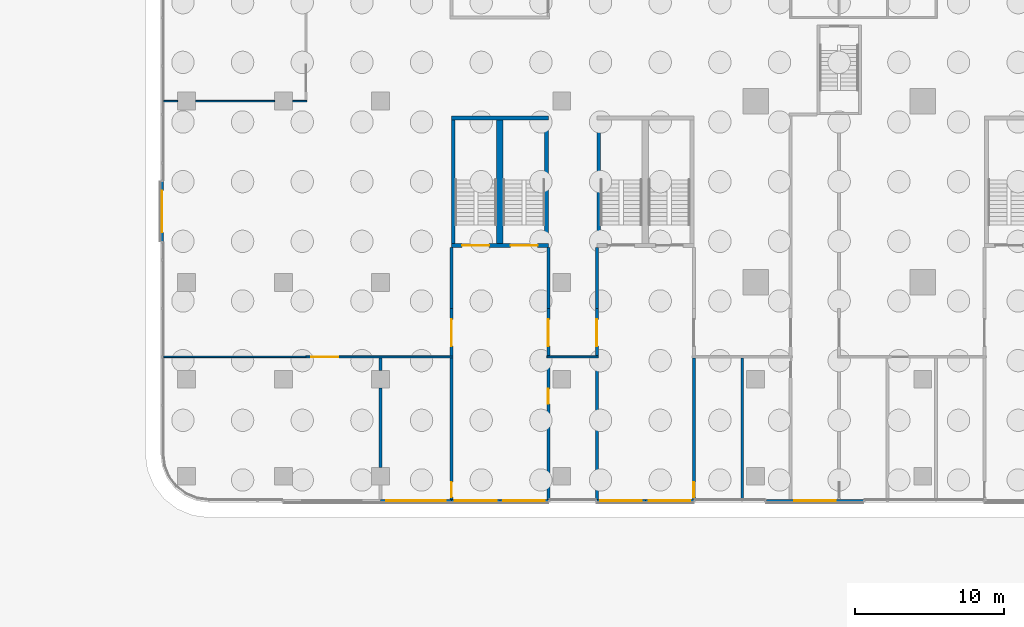
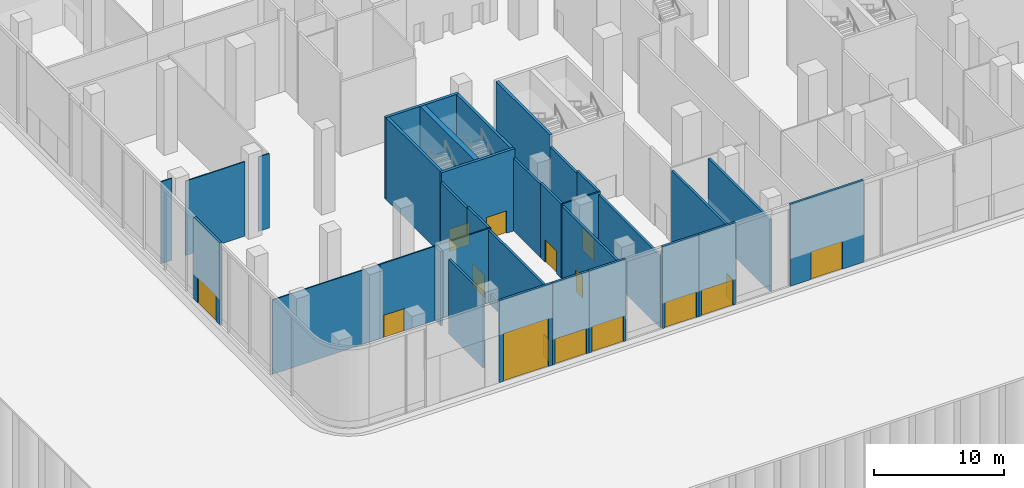
# One storey, part 16 of 27: 32 walls, 16 doors, 16 openings.
"""IFC4 building model written with IfcOpenShell, lengths in metres."""

from ifc_helpers import new_model, si_unit, direction, frame, frame_2d, origin, place, context, subcontext, project, spatial, rectangle, extrude, source, transform, mapped, material, layer, layer_set, type_object, element, fill, save


model = new_model("IFC4")

# Units and contexts
model_context = context("Model", 3, precision=1e-05, world=origin(), true_north=direction((0.0, 1.0)))
body_context = subcontext(model_context, "Body", "Model", "MODEL_VIEW")
ifc_project = project(units=[si_unit("LENGTHUNIT", "METRE"), si_unit("AREAUNIT", "SQUARE_METRE"), si_unit("VOLUMEUNIT", "CUBIC_METRE"), si_unit("PLANEANGLEUNIT", "RADIAN"), si_unit("MASSUNIT", "GRAM", prefix="KILO")], contexts=[model_context])

# Site, building, storey
site_placement = place(None, origin())
site = spatial("IfcSite", under=ifc_project, at=site_placement, CompositionType="ELEMENT")
building_placement = place(site_placement, origin())
building = spatial("IfcBuilding", under=site, at=building_placement, Name="Trellis Farm Tower", CompositionType="ELEMENT")
storey_placement = place(building_placement, origin())
storey = spatial("IfcBuildingStorey", under=building, at=storey_placement, Name="L00", CompositionType="ELEMENT", Elevation=0.0)

# Walls
ifc_material_1 = material(Name="Lightweight blockwork, plastered", Category="masonry")
ifc_layer_1 = layer(ifc_material_1, 0.199951171875)
ifc_layer_set_1 = layer_set([ifc_layer_1], Name="BLOCK WALL 200 EI 120")
wall_type_1 = type_object("IfcWallType", Name="BLOCK WALL 200 EI 120", PredefinedType="PARTITIONING", material=ifc_layer_set_1)
wall_1_placement = place(storey_placement, frame((-30.75, -43.14990234375, 0.0), z_axis=(0.0, 0.0, 1.0), x_axis=(0.0, 1.0, 0.0)))
element("IfcWall", 1, at=wall_1_placement, inside=storey, type_object=wall_type_1, Name="Partition PW3", PredefinedType="PARTITIONING", context=body_context, shape_type="SweptSolid", body=[
    extrude(rectangle(XDim=5.2998046875, YDim=0.199951171875, at=frame_2d((2.64990234375, 0.0))), origin(), (0.0, 0.0, 1.0), 6.99658203125),
])
wall_2_placement = place(storey_placement, frame((-30.75, -36.64990234375, 0.0), z_axis=(0.0, 0.0, 1.0), x_axis=(0.0, 1.0, 0.0)))
element("IfcWall", 2, at=wall_2_placement, inside=storey, type_object=wall_type_1, Name="Partition PW3", PredefinedType="PARTITIONING", context=body_context, shape_type="SweptSolid", body=[
    extrude(rectangle(XDim=0.83740234375, YDim=0.199951171875, at=frame_2d((0.418701171875, 0.0))), origin(), (0.0, 0.0, 1.0), 6.99658203125),
])

# Wall, opening, door
ifc_material_2 = material(Name="Sandstone faced insulated wall", Category="masonry")
ifc_layer_2 = layer(ifc_material_2, 0.199951171875)
ifc_layer_set_2 = layer_set([ifc_layer_2], Name="EXTERNAL INFILL WALL 200")
wall_type_2 = type_object("IfcWallType", Name="EXTERNAL INFILL WALL 200", PredefinedType="SOLIDWALL", material=ifc_layer_set_2)
wall_3_placement = place(storey_placement, frame((-26.0, -45.39990234375, 0.0), z_axis=(0.0, 0.0, 1.0), x_axis=(-1.0, 0.0, 0.0)))
wall_3 = element("IfcWall", 3, at=wall_3_placement, inside=storey, type_object=wall_type_2, Name="EW1 17", PredefinedType="SOLIDWALL", context=body_context, shape_type="SweptSolid", body=[
    extrude(rectangle(XDim=4.75, YDim=0.199951171875, at=frame_2d((2.375, 0.0))), origin(), (0.0, 0.0, 1.0), 7.699951171875),
])
shared_shape_1 = source(origin(), body_context, "Body", "SweptSolid", [
    extrude(rectangle(XDim=4.0, YDim=4.5, at=frame_2d((2.0, 2.25))), frame((0.0, 0.110107421875, 0.0), z_axis=(0.0, -1.0, 0.0), x_axis=(1.0, 0.0, 0.0)), (0.0, 0.0, 1.0), 0.22021484375),
])
opening_1_placement = place(wall_3_placement, frame((0.375, 0.0, 0.0)))
opening_1 = element("IfcOpeningElement", 4, at=opening_1_placement, cuts=wall_3, Name="Opening ED5", PredefinedType="OPENING", context=body_context, shape_type="MappedRepresentation", body=[
    mapped(shared_shape_1, transform((0.0, 0.0, 0.0))),
])
ifc_material_3 = material(Name="Steel roller shutter", Category="steel")
door_type_1 = type_object("IfcDoorType", Name="LOADING DOOR 4000x4500", OperationType="ROLLINGUP", PredefinedType="DOOR", material=ifc_material_3)
shared_shape_2 = source(origin(), body_context, "Body", "SweptSolid", [
    extrude(rectangle(XDim=4.0, YDim=4.5, at=frame_2d((2.0, 2.25))), frame((0.0, 0.02490234375, 0.0), z_axis=(0.0, -1.0, 0.0), x_axis=(1.0, 0.0, 0.0)), (0.0, 0.0, 1.0), 0.050048828125),
])
door_1_placement = place(opening_1_placement, origin())
door_1 = element("IfcDoor", 5, at=door_1_placement, inside=storey, type_object=door_type_1, Name="Loading door", OperationType="ROLLINGUP", OverallHeight=4.5, OverallWidth=4.0, PredefinedType="DOOR", context=body_context, shape_type="MappedRepresentation", body=[
    mapped(shared_shape_2, transform((0.0, 0.0, 0.0))),
])
fill(opening_1, door_1)

# Wall
ifc_material_4 = material(Name="Plasterboard on steel studs", Category="steel")
ifc_layer_3 = layer(ifc_material_4, 0.10009765625)
ifc_layer_set_3 = layer_set([ifc_layer_3], Name="PARTITION 100 STUD EI 30")
wall_type_3 = type_object("IfcWallType", Name="PARTITION 100 STUD EI 30", PredefinedType="PARTITIONING", material=ifc_layer_set_3)
wall_4_placement = place(storey_placement, frame((-45.300048828125, -35.75, 0.0), z_axis=(0.0, 0.0, 1.0), x_axis=(1.0, 0.0, 0.0)))
element("IfcWall", 6, at=wall_4_placement, inside=storey, type_object=wall_type_3, Name="Partition PW2", PredefinedType="PARTITIONING", context=body_context, shape_type="SweptSolid", body=[
    extrude(rectangle(XDim=9.550048828125, YDim=0.10009765625, at=frame_2d((4.77490234375, 0.0))), origin(), (0.0, 0.0, 1.0), 6.99658203125),
])

# Wall, openings, doors
ifc_material_5 = material(Name="Concrete C80/95", Category="concrete")
ifc_layer_4 = layer(ifc_material_5, 0.25)
ifc_layer_set_4 = layer_set([ifc_layer_4], Name="CORE STAIR ENCLOSURE WALL 250 CONCRETE C80/95")
wall_type_4 = type_object("IfcWallType", Name="CORE STAIR ENCLOSURE WALL 250 CONCRETE C80/95", PredefinedType="SHEAR", material=ifc_layer_set_4)
shared_shape_3 = source(origin(), body_context, "Body", "SweptSolid", [
    extrude(rectangle(XDim=6.5, YDim=0.25, at=frame_2d((3.25, 0.0))), origin(), (0.0, 0.0, 1.0), 7.699951171875),
])
wall_5_placement = place(storey_placement, frame((-26.0, -28.27490234375, 0.0), z_axis=(0.0, 0.0, 1.0), x_axis=(1.0, 0.0, 0.0)))
wall_5 = element("IfcWall", 7, at=wall_5_placement, inside=storey, type_object=wall_type_4, Name="Podium stair enclosure wall", PredefinedType="SHEAR", context=body_context, shape_type="MappedRepresentation", body=[
    mapped(shared_shape_3, transform((0.0, 0.0, 0.0))),
])
shared_shape_4 = source(origin(), body_context, "Body", "SweptSolid", [
    extrude(rectangle(XDim=1.800048828125, YDim=2.10009765625, at=frame_2d((0.89990234375, 1.050048828125))), frame((0.0, 0.135009765625, 0.0), z_axis=(0.0, -1.0, 0.0), x_axis=(1.0, 0.0, 0.0)), (0.0, 0.0, 1.0), 0.27001953125),
])
opening_2_placement = place(wall_5_placement, frame((0.72509765625, 0.0, 0.0)))
opening_2 = element("IfcOpeningElement", 8, at=opening_2_placement, cuts=wall_5, Name="Opening DP9", PredefinedType="OPENING", context=body_context, shape_type="MappedRepresentation", body=[
    mapped(shared_shape_4, transform((0.0, 0.0, 0.0))),
])
opening_3_placement = place(wall_5_placement, frame((3.97509765625, 0.0, 0.0)))
opening_3 = element("IfcOpeningElement", 9, at=opening_3_placement, cuts=wall_5, Name="Opening DP10", PredefinedType="OPENING", context=body_context, shape_type="MappedRepresentation", body=[
    mapped(shared_shape_4, transform((0.0, 0.0, 0.0))),
])
ifc_material_6 = material(Name="Steel", Category="steel")
door_type_2 = type_object("IfcDoorType", Name="CORE FIRE DOOR DOUBLE 1800 X 2100", OperationType="DOUBLE_DOOR_SINGLE_SWING", PredefinedType="DOOR", material=ifc_material_6)
shared_shape_5 = source(origin(), body_context, "Body", "SweptSolid", [
    extrude(rectangle(XDim=1.800048828125, YDim=2.10009765625, at=frame_2d((0.89990234375, 1.050048828125))), frame((0.0, 0.02490234375, 0.0), z_axis=(0.0, -1.0, 0.0), x_axis=(1.0, 0.0, 0.0)), (0.0, 0.0, 1.0), 0.050048828125),
])
door_2_placement = place(opening_2_placement, origin())
door_2 = element("IfcDoor", 10, at=door_2_placement, inside=storey, type_object=door_type_2, Name="Podium stair door", OperationType="DOUBLE_DOOR_SINGLE_SWING", OverallHeight=2.10009765625, OverallWidth=1.800048828125, PredefinedType="DOOR", context=body_context, shape_type="MappedRepresentation", body=[
    mapped(shared_shape_5, transform((0.0, 0.0, 0.0))),
])
fill(opening_2, door_2)
door_3_placement = place(opening_3_placement, origin())
door_3 = element("IfcDoor", 11, at=door_3_placement, inside=storey, type_object=door_type_2, Name="Podium stair door", OperationType="DOUBLE_DOOR_SINGLE_SWING", OverallHeight=2.10009765625, OverallWidth=1.800048828125, PredefinedType="DOOR", context=body_context, shape_type="MappedRepresentation", body=[
    mapped(shared_shape_5, transform((0.0, 0.0, 0.0))),
])
fill(opening_3, door_3)

# Walls
wall_6_placement = place(storey_placement, frame((-26.0, -19.72509765625, 0.0), z_axis=(0.0, 0.0, 1.0), x_axis=(1.0, 0.0, 0.0)))
element("IfcWall", 12, at=wall_6_placement, inside=storey, type_object=wall_type_4, Name="Podium stair enclosure wall", PredefinedType="SHEAR", context=body_context, shape_type="MappedRepresentation", body=[
    mapped(shared_shape_3, transform((0.0, 0.0, 0.0))),
])
shared_shape_6 = source(origin(), body_context, "Body", "SweptSolid", [
    extrude(rectangle(XDim=8.2998046875, YDim=0.25, at=frame_2d((4.14990234375, 0.0))), origin(), (0.0, 0.0, 1.0), 7.699951171875),
])
for number, where, z_axis, x_axis, name in (
    (13, (-25.875, -28.14990234375, 0.0), (0.0, 0.0, 1.0), (0.0, 1.0, 0.0), "Podium stair enclosure wall"),
    (14, (-19.625, -28.14990234375, 0.0), (0.0, 0.0, 1.0), (0.0, 1.0, 0.0), "Podium stair enclosure wall"),
    (15, (-16.125, -28.14990234375, 0.0), (0.0, 0.0, 1.0), (0.0, 1.0, 0.0), "Podium stair enclosure wall"),
):
    element("IfcWall", number, at=place(storey_placement, frame(where, z_axis=z_axis, x_axis=x_axis)), inside=storey, type_object=wall_type_4, Name=name, PredefinedType="SHEAR", context=body_context, shape_type="MappedRepresentation", body=[
        mapped(shared_shape_6, transform((0.0, 0.0, 0.0))),
    ])
ifc_layer_5 = layer(ifc_material_5, 0.43994140625)
ifc_layer_set_5 = layer_set([ifc_layer_5], Name="CORE STAIR ENCLOSURE WALL 440 CONCRETE C80/95")
wall_type_5 = type_object("IfcWallType", Name="CORE STAIR ENCLOSURE WALL 440 CONCRETE C80/95", PredefinedType="SHEAR", material=ifc_layer_set_5)
shared_shape_7 = source(origin(), body_context, "Body", "SweptSolid", [
    extrude(rectangle(XDim=8.2998046875, YDim=0.43994140625, at=frame_2d((4.14990234375, 0.0))), origin(), (0.0, 0.0, 1.0), 7.699951171875),
])
wall_7_placement = place(storey_placement, frame((-22.75, -28.14990234375, 0.0), z_axis=(0.0, 0.0, 1.0), x_axis=(0.0, 1.0, 0.0)))
element("IfcWall", 16, at=wall_7_placement, inside=storey, type_object=wall_type_5, Name="Podium stair enclosure wall", PredefinedType="SHEAR", context=body_context, shape_type="MappedRepresentation", body=[
    mapped(shared_shape_7, transform((0.0, 0.0, 0.0))),
])

# Wall, opening, door
shared_shape_8 = source(origin(), body_context, "Body", "SweptSolid", [
    extrude(rectangle(XDim=4.0, YDim=0.199951171875, at=frame_2d((2.0, 0.0))), origin(), (0.0, 0.0, 1.0), 7.699951171875),
])
wall_8_placement = place(storey_placement, frame((-45.39990234375, -28.0, 0.0), z_axis=(0.0, 0.0, 1.0), x_axis=(0.0, 1.0, 0.0)))
wall_8 = element("IfcWall", 17, at=wall_8_placement, inside=storey, type_object=wall_type_2, Name="EW1 15", PredefinedType="SOLIDWALL", context=body_context, shape_type="MappedRepresentation", body=[
    mapped(shared_shape_8, transform((0.0, 0.0, 0.0))),
])
shared_shape_9 = source(origin(), body_context, "Body", "SweptSolid", [
    extrude(rectangle(XDim=2.800048828125, YDim=2.39990234375, at=frame_2d((1.39990234375, 1.199951171875))), frame((0.0, 0.110107421875, 0.0), z_axis=(0.0, -1.0, 0.0), x_axis=(1.0, 0.0, 0.0)), (0.0, 0.0, 1.0), 0.22021484375),
])
opening_4_placement = place(wall_8_placement, frame((0.60009765625, 0.0, 0.0)))
opening_4 = element("IfcOpeningElement", 18, at=opening_4_placement, cuts=wall_8, Name="Opening ED4", PredefinedType="OPENING", context=body_context, shape_type="MappedRepresentation", body=[
    mapped(shared_shape_9, transform((0.0, 0.0, 0.0))),
])
ifc_material_7 = material(Name="Steel framed door", Category="steel")
door_type_3 = type_object("IfcDoorType", Name="EXIT DOOR 2800x2400", OperationType="DOUBLE_DOOR_SINGLE_SWING", PredefinedType="DOOR", material=ifc_material_7)
shared_shape_10 = source(origin(), body_context, "Body", "SweptSolid", [
    extrude(rectangle(XDim=2.800048828125, YDim=2.39990234375, at=frame_2d((1.39990234375, 1.199951171875))), frame((0.0, 0.02490234375, 0.0), z_axis=(0.0, -1.0, 0.0), x_axis=(1.0, 0.0, 0.0)), (0.0, 0.0, 1.0), 0.050048828125),
])
door_4_placement = place(opening_4_placement, origin())
door_4 = element("IfcDoor", 19, at=door_4_placement, inside=storey, type_object=door_type_3, Name="Exit door", OperationType="DOUBLE_DOOR_SINGLE_SWING", OverallHeight=2.39990234375, OverallWidth=2.800048828125, PredefinedType="DOOR", context=body_context, shape_type="MappedRepresentation", body=[
    mapped(shared_shape_10, transform((0.0, 0.0, 0.0))),
])
fill(opening_4, door_4)

shared_shape_11 = source(origin(), body_context, "Body", "SweptSolid", [
    extrude(rectangle(XDim=3.25, YDim=0.199951171875, at=frame_2d((1.625, 0.0))), origin(), (0.0, 0.0, 1.0), 7.699951171875),
])
wall_9_placement = place(storey_placement, frame((-22.75, -45.39990234375, 0.0), z_axis=(0.0, 0.0, 1.0), x_axis=(-1.0, 0.0, 0.0)))
wall_9 = element("IfcWall", 20, at=wall_9_placement, inside=storey, type_object=wall_type_2, Name="EW1 18", PredefinedType="SOLIDWALL", context=body_context, shape_type="MappedRepresentation", body=[
    mapped(shared_shape_11, transform((0.0, 0.0, 0.0))),
])
opening_5_placement = place(wall_9_placement, frame((0.22509765625, 0.0, 0.0)))
opening_5 = element("IfcOpeningElement", 21, at=opening_5_placement, cuts=wall_9, Name="Opening ED4", PredefinedType="OPENING", context=body_context, shape_type="MappedRepresentation", body=[
    mapped(shared_shape_9, transform((0.0, 0.0, 0.0))),
])
door_5_placement = place(opening_5_placement, origin())
door_5 = element("IfcDoor", 22, at=door_5_placement, inside=storey, type_object=door_type_3, Name="Exit door", OperationType="DOUBLE_DOOR_SINGLE_SWING", OverallHeight=2.39990234375, OverallWidth=2.800048828125, PredefinedType="DOOR", context=body_context, shape_type="MappedRepresentation", body=[
    mapped(shared_shape_10, transform((0.0, 0.0, 0.0))),
])
fill(opening_5, door_5)

wall_10_placement = place(storey_placement, frame((-19.5, -45.39990234375, 0.0), z_axis=(0.0, 0.0, 1.0), x_axis=(-1.0, 0.0, 0.0)))
wall_10 = element("IfcWall", 23, at=wall_10_placement, inside=storey, type_object=wall_type_2, Name="EW1 19", PredefinedType="SOLIDWALL", context=body_context, shape_type="MappedRepresentation", body=[
    mapped(shared_shape_11, transform((0.0, 0.0, 0.0))),
])
opening_6_placement = place(wall_10_placement, frame((0.22509765625, 0.0, 0.0)))
opening_6 = element("IfcOpeningElement", 24, at=opening_6_placement, cuts=wall_10, Name="Opening ED4", PredefinedType="OPENING", context=body_context, shape_type="MappedRepresentation", body=[
    mapped(shared_shape_9, transform((0.0, 0.0, 0.0))),
])
door_6_placement = place(opening_6_placement, origin())
door_6 = element("IfcDoor", 25, at=door_6_placement, inside=storey, type_object=door_type_3, Name="Exit door", OperationType="DOUBLE_DOOR_SINGLE_SWING", OverallHeight=2.39990234375, OverallWidth=2.800048828125, PredefinedType="DOOR", context=body_context, shape_type="MappedRepresentation", body=[
    mapped(shared_shape_10, transform((0.0, 0.0, 0.0))),
])
fill(opening_6, door_6)

wall_11_placement = place(storey_placement, frame((-13.0, -45.39990234375, 0.0), z_axis=(0.0, 0.0, 1.0), x_axis=(-1.0, 0.0, 0.0)))
wall_11 = element("IfcWall", 26, at=wall_11_placement, inside=storey, type_object=wall_type_2, Name="EW1 20", PredefinedType="SOLIDWALL", context=body_context, shape_type="MappedRepresentation", body=[
    mapped(shared_shape_11, transform((0.0, 0.0, 0.0))),
])
opening_7_placement = place(wall_11_placement, frame((0.22509765625, 0.0, 0.0)))
opening_7 = element("IfcOpeningElement", 27, at=opening_7_placement, cuts=wall_11, Name="Opening ED4", PredefinedType="OPENING", context=body_context, shape_type="MappedRepresentation", body=[
    mapped(shared_shape_9, transform((0.0, 0.0, 0.0))),
])
door_7_placement = place(opening_7_placement, origin())
door_7 = element("IfcDoor", 28, at=door_7_placement, inside=storey, type_object=door_type_3, Name="Exit door", OperationType="DOUBLE_DOOR_SINGLE_SWING", OverallHeight=2.39990234375, OverallWidth=2.800048828125, PredefinedType="DOOR", context=body_context, shape_type="MappedRepresentation", body=[
    mapped(shared_shape_10, transform((0.0, 0.0, 0.0))),
])
fill(opening_7, door_7)

wall_12_placement = place(storey_placement, frame((-9.75, -45.39990234375, 0.0), z_axis=(0.0, 0.0, 1.0), x_axis=(-1.0, 0.0, 0.0)))
wall_12 = element("IfcWall", 29, at=wall_12_placement, inside=storey, type_object=wall_type_2, Name="EW1 21", PredefinedType="SOLIDWALL", context=body_context, shape_type="MappedRepresentation", body=[
    mapped(shared_shape_11, transform((0.0, 0.0, 0.0))),
])
opening_8_placement = place(wall_12_placement, frame((0.22509765625, 0.0, 0.0)))
opening_8 = element("IfcOpeningElement", 30, at=opening_8_placement, cuts=wall_12, Name="Opening ED4", PredefinedType="OPENING", context=body_context, shape_type="MappedRepresentation", body=[
    mapped(shared_shape_9, transform((0.0, 0.0, 0.0))),
])
door_8_placement = place(opening_8_placement, origin())
door_8 = element("IfcDoor", 31, at=door_8_placement, inside=storey, type_object=door_type_3, Name="Exit door", OperationType="DOUBLE_DOOR_SINGLE_SWING", OverallHeight=2.39990234375, OverallWidth=2.800048828125, PredefinedType="DOOR", context=body_context, shape_type="MappedRepresentation", body=[
    mapped(shared_shape_10, transform((0.0, 0.0, 0.0))),
])
fill(opening_8, door_8)

shared_shape_12 = source(origin(), body_context, "Body", "SweptSolid", [
    extrude(rectangle(XDim=6.5, YDim=0.199951171875, at=frame_2d((3.25, 0.0))), origin(), (0.0, 0.0, 1.0), 7.699951171875),
])
wall_13_placement = place(storey_placement, frame((1.625, -45.39990234375, 0.0), z_axis=(0.0, 0.0, 1.0), x_axis=(-1.0, 0.0, 0.0)))
wall_13 = element("IfcWall", 32, at=wall_13_placement, inside=storey, type_object=wall_type_2, Name="EW1 22", PredefinedType="SOLIDWALL", context=body_context, shape_type="MappedRepresentation", body=[
    mapped(shared_shape_12, transform((0.0, 0.0, 0.0))),
])
shared_shape_13 = source(origin(), body_context, "Body", "SweptSolid", [
    extrude(rectangle(XDim=2.800048828125, YDim=2.60009765625, at=frame_2d((1.39990234375, 1.300048828125))), frame((0.0, 0.110107421875, 0.0), z_axis=(0.0, -1.0, 0.0), x_axis=(1.0, 0.0, 0.0)), (0.0, 0.0, 1.0), 0.22021484375),
])
opening_9_placement = place(wall_13_placement, frame((1.85009765625, 0.0, 0.0)))
opening_9 = element("IfcOpeningElement", 33, at=opening_9_placement, cuts=wall_13, Name="Opening ED3", PredefinedType="OPENING", context=body_context, shape_type="MappedRepresentation", body=[
    mapped(shared_shape_13, transform((0.0, 0.0, 0.0))),
])
ifc_material_8 = material(Name="Aluminium framed glazed door", Category="aluminium")
door_type_4 = type_object("IfcDoorType", Name="ENTRANCE DOOR 2800x2600", OperationType="DOUBLE_DOOR_SINGLE_SWING", PredefinedType="DOOR", material=ifc_material_8)
shared_shape_14 = source(origin(), body_context, "Body", "SweptSolid", [
    extrude(rectangle(XDim=2.800048828125, YDim=2.60009765625, at=frame_2d((1.39990234375, 1.300048828125))), frame((0.0, 0.02490234375, 0.0), z_axis=(0.0, -1.0, 0.0), x_axis=(1.0, 0.0, 0.0)), (0.0, 0.0, 1.0), 0.050048828125),
])
door_9_placement = place(opening_9_placement, origin())
door_9 = element("IfcDoor", 34, at=door_9_placement, inside=storey, type_object=door_type_4, Name="Entrance door", OperationType="DOUBLE_DOOR_SINGLE_SWING", OverallHeight=2.60009765625, OverallWidth=2.800048828125, PredefinedType="DOOR", context=body_context, shape_type="MappedRepresentation", body=[
    mapped(shared_shape_14, transform((0.0, 0.0, 0.0))),
])
fill(opening_9, door_9)

shared_shape_15 = source(origin(), body_context, "Body", "SweptSolid", [
    extrude(rectangle(XDim=3.1875, YDim=0.199951171875, at=frame_2d((1.59375, 0.0))), origin(), (0.0, 0.0, 1.0), 6.99658203125),
])
wall_14_placement = place(storey_placement, frame((-26.0, -35.6875, 0.0), z_axis=(0.0, 0.0, 1.0), x_axis=(0.0, 1.0, 0.0)))
wall_14 = element("IfcWall", 35, at=wall_14_placement, inside=storey, type_object=wall_type_1, Name="Partition PW3", PredefinedType="PARTITIONING", context=body_context, shape_type="MappedRepresentation", body=[
    mapped(shared_shape_15, transform((0.0, 0.0, 0.0))),
])
shared_shape_16 = source(origin(), body_context, "Body", "SweptSolid", [
    extrude(rectangle(XDim=1.800048828125, YDim=2.10009765625, at=frame_2d((0.89990234375, 1.050048828125))), frame((0.0, 0.110107421875, 0.0), z_axis=(0.0, -1.0, 0.0), x_axis=(1.0, 0.0, 0.0)), (0.0, 0.0, 1.0), 0.22021484375),
])
opening_10_placement = place(wall_14_placement, frame((0.66259765625, 0.0, 0.0)))
opening_10 = element("IfcOpeningElement", 36, at=opening_10_placement, cuts=wall_14, Name="Opening D402", PredefinedType="OPENING", context=body_context, shape_type="MappedRepresentation", body=[
    mapped(shared_shape_16, transform((0.0, 0.0, 0.0))),
])
ifc_material_9 = material(Name="Fire-rated timber door leaf in a hollow metal frame", Category="wood")
door_type_5 = type_object("IfcDoorType", Name="DOOR PAIR 1800x2100 FD60", OperationType="NOTDEFINED", PredefinedType="DOOR", material=ifc_material_9)
door_10_placement = place(opening_10_placement, origin())
door_10 = element("IfcDoor", 37, at=door_10_placement, inside=storey, type_object=door_type_5, Name="Door D402", OperationType="DOUBLE_DOOR_SINGLE_SWING", OverallHeight=2.10009765625, OverallWidth=1.800048828125, PredefinedType="DOOR", context=body_context, shape_type="MappedRepresentation", body=[
    mapped(shared_shape_5, transform((0.0, 0.0, 0.0))),
])
fill(opening_10, door_10)

wall_15_placement = place(storey_placement, frame((-19.5, -32.5, 0.0), z_axis=(0.0, 0.0, 1.0), x_axis=(0.0, -1.0, 0.0)))
wall_15 = element("IfcWall", 38, at=wall_15_placement, inside=storey, type_object=wall_type_1, Name="Partition PW3", PredefinedType="PARTITIONING", context=body_context, shape_type="MappedRepresentation", body=[
    mapped(shared_shape_15, transform((0.0, 0.0, 0.0))),
])
opening_11_placement = place(wall_15_placement, frame((0.72509765625, 0.0, 0.0)))
opening_11 = element("IfcOpeningElement", 39, at=opening_11_placement, cuts=wall_15, Name="Opening D403", PredefinedType="OPENING", context=body_context, shape_type="MappedRepresentation", body=[
    mapped(shared_shape_16, transform((0.0, 0.0, 0.0))),
])
door_11_placement = place(opening_11_placement, origin())
door_11 = element("IfcDoor", 40, at=door_11_placement, inside=storey, type_object=door_type_5, Name="Door D403", OperationType="DOUBLE_DOOR_SINGLE_SWING", OverallHeight=2.10009765625, OverallWidth=1.800048828125, PredefinedType="DOOR", context=body_context, shape_type="MappedRepresentation", body=[
    mapped(shared_shape_5, transform((0.0, 0.0, 0.0))),
])
fill(opening_11, door_11)

wall_16_placement = place(storey_placement, frame((-16.25, -35.6875, 0.0), z_axis=(0.0, 0.0, 1.0), x_axis=(0.0, 1.0, 0.0)))
wall_16 = element("IfcWall", 41, at=wall_16_placement, inside=storey, type_object=wall_type_1, Name="Partition PW3", PredefinedType="PARTITIONING", context=body_context, shape_type="MappedRepresentation", body=[
    mapped(shared_shape_15, transform((0.0, 0.0, 0.0))),
])
opening_12_placement = place(wall_16_placement, frame((0.66259765625, 0.0, 0.0)))
opening_12 = element("IfcOpeningElement", 42, at=opening_12_placement, cuts=wall_16, Name="Opening D404", PredefinedType="OPENING", context=body_context, shape_type="MappedRepresentation", body=[
    mapped(shared_shape_16, transform((0.0, 0.0, 0.0))),
])
door_12_placement = place(opening_12_placement, origin())
door_12 = element("IfcDoor", 43, at=door_12_placement, inside=storey, type_object=door_type_5, Name="Door D404", OperationType="DOUBLE_DOOR_SINGLE_SWING", OverallHeight=2.10009765625, OverallWidth=1.800048828125, PredefinedType="DOOR", context=body_context, shape_type="MappedRepresentation", body=[
    mapped(shared_shape_5, transform((0.0, 0.0, 0.0))),
])
fill(opening_12, door_12)

# Walls
shared_shape_17 = source(origin(), body_context, "Body", "SweptSolid", [
    extrude(rectangle(XDim=4.10009765625, YDim=0.199951171875, at=frame_2d((2.050048828125, 0.0))), origin(), (0.0, 0.0, 1.0), 6.83935546875),
])
for number, where, z_axis, x_axis, name in (
    (44, (-26.0, -28.39990234375, 0.0), (0.0, 0.0, 1.0), (0.0, -1.0, 0.0), "Partition PW3"),
    (45, (-19.5, -28.39990234375, 0.0), (0.0, 0.0, 1.0), (0.0, -1.0, 0.0), "Partition PW3"),
):
    element("IfcWall", number, at=place(storey_placement, frame(where, z_axis=z_axis, x_axis=x_axis)), inside=storey, type_object=wall_type_1, Name=name, PredefinedType="PARTITIONING", context=body_context, shape_type="MappedRepresentation", body=[
        mapped(shared_shape_17, transform((0.0, 0.0, 0.0))),
    ])

# Wall, opening, door
shared_shape_18 = source(origin(), body_context, "Body", "SweptSolid", [
    extrude(rectangle(XDim=9.487548828125, YDim=0.199951171875, at=frame_2d((4.74365234375, 0.0))), origin(), (0.0, 0.0, 1.0), 6.83935546875),
])
wall_17_placement = place(storey_placement, frame((-26.0, -45.300048828125, 0.0), z_axis=(0.0, 0.0, 1.0), x_axis=(0.0, 1.0, 0.0)))
wall_17 = element("IfcWall", 46, at=wall_17_placement, inside=storey, type_object=wall_type_1, Name="Partition PW3", PredefinedType="PARTITIONING", context=body_context, shape_type="MappedRepresentation", body=[
    mapped(shared_shape_18, transform((0.0, 0.0, 0.0))),
])
shared_shape_19 = source(origin(), body_context, "Body", "SweptSolid", [
    extrude(rectangle(XDim=1.0, YDim=2.10009765625, at=frame_2d((0.5, 1.050048828125))), frame((0.0, 0.110107421875, 0.0), z_axis=(0.0, -1.0, 0.0), x_axis=(1.0, 0.0, 0.0)), (0.0, 0.0, 1.0), 0.22021484375),
])
opening_13_placement = place(wall_17_placement, frame((0.14990234375, 0.0, 0.0)))
opening_13 = element("IfcOpeningElement", 47, at=opening_13_placement, cuts=wall_17, Name="Opening D301", PredefinedType="OPENING", context=body_context, shape_type="MappedRepresentation", body=[
    mapped(shared_shape_19, transform((0.0, 0.0, 0.0))),
])
door_type_6 = type_object("IfcDoorType", Name="DOOR 1000x2100 FD60", OperationType="NOTDEFINED", PredefinedType="DOOR", material=ifc_material_9)
shared_shape_20 = source(origin(), body_context, "Body", "SweptSolid", [
    extrude(rectangle(XDim=1.0, YDim=2.10009765625, at=frame_2d((0.5, 1.050048828125))), frame((0.0, 0.02490234375, 0.0), z_axis=(0.0, -1.0, 0.0), x_axis=(1.0, 0.0, 0.0)), (0.0, 0.0, 1.0), 0.050048828125),
])
door_13_placement = place(opening_13_placement, origin())
door_13 = element("IfcDoor", 48, at=door_13_placement, inside=storey, type_object=door_type_6, Name="Door D301", OperationType="SINGLE_SWING_LEFT", OverallHeight=2.10009765625, OverallWidth=1.0, PredefinedType="DOOR", context=body_context, shape_type="MappedRepresentation", body=[
    mapped(shared_shape_20, transform((0.0, 0.0, 0.0))),
])
fill(opening_13, door_13)

wall_18_placement = place(storey_placement, frame((-19.5, -35.8125, 0.0), z_axis=(0.0, 0.0, 1.0), x_axis=(0.0, -1.0, 0.0)))
wall_18 = element("IfcWall", 49, at=wall_18_placement, inside=storey, type_object=wall_type_1, Name="Partition PW3", PredefinedType="PARTITIONING", context=body_context, shape_type="MappedRepresentation", body=[
    mapped(shared_shape_18, transform((0.0, 0.0, 0.0))),
])
opening_14_placement = place(wall_18_placement, frame((2.08740234375, 0.0, 0.0)))
opening_14 = element("IfcOpeningElement", 50, at=opening_14_placement, cuts=wall_18, Name="Opening D306", PredefinedType="OPENING", context=body_context, shape_type="MappedRepresentation", body=[
    mapped(shared_shape_19, transform((0.0, 0.0, 0.0))),
])
door_14_placement = place(opening_14_placement, origin())
door_14 = element("IfcDoor", 51, at=door_14_placement, inside=storey, type_object=door_type_6, Name="Door D306", OperationType="SINGLE_SWING_LEFT", OverallHeight=2.10009765625, OverallWidth=1.0, PredefinedType="DOOR", context=body_context, shape_type="MappedRepresentation", body=[
    mapped(shared_shape_20, transform((0.0, 0.0, 0.0))),
])
fill(opening_14, door_14)

# Walls
shared_shape_21 = source(origin(), body_context, "Body", "SweptSolid", [
    extrude(rectangle(XDim=4.10009765625, YDim=0.199951171875, at=frame_2d((2.050048828125, 0.0))), origin(), (0.0, 0.0, 1.0), 6.76171875),
])
wall_19_placement = place(storey_placement, frame((-16.25, -32.5, 0.0), z_axis=(0.0, 0.0, 1.0), x_axis=(0.0, 1.0, 0.0)))
element("IfcWall", 52, at=wall_19_placement, inside=storey, type_object=wall_type_1, Name="Partition PW3", PredefinedType="PARTITIONING", context=body_context, shape_type="MappedRepresentation", body=[
    mapped(shared_shape_21, transform((0.0, 0.0, 0.0))),
])
shared_shape_22 = source(origin(), body_context, "Body", "SweptSolid", [
    extrude(rectangle(XDim=9.487548828125, YDim=0.199951171875, at=frame_2d((4.74365234375, 0.0))), origin(), (0.0, 0.0, 1.0), 6.76171875),
])
wall_20_placement = place(storey_placement, frame((-16.25, -45.300048828125, 0.0), z_axis=(0.0, 0.0, 1.0), x_axis=(0.0, 1.0, 0.0)))
element("IfcWall", 53, at=wall_20_placement, inside=storey, type_object=wall_type_1, Name="Partition PW3", PredefinedType="PARTITIONING", context=body_context, shape_type="MappedRepresentation", body=[
    mapped(shared_shape_22, transform((0.0, 0.0, 0.0))),
])

# Wall, opening, door
wall_21_placement = place(storey_placement, frame((-9.75, -35.8125, 0.0), z_axis=(0.0, 0.0, 1.0), x_axis=(0.0, -1.0, 0.0)))
wall_21 = element("IfcWall", 54, at=wall_21_placement, inside=storey, type_object=wall_type_1, Name="Partition PW3", PredefinedType="PARTITIONING", context=body_context, shape_type="MappedRepresentation", body=[
    mapped(shared_shape_22, transform((0.0, 0.0, 0.0))),
])
opening_15_placement = place(wall_21_placement, frame((8.33740234375, 0.0, 0.0)))
opening_15 = element("IfcOpeningElement", 55, at=opening_15_placement, cuts=wall_21, Name="Opening D302", PredefinedType="OPENING", context=body_context, shape_type="MappedRepresentation", body=[
    mapped(shared_shape_19, transform((0.0, 0.0, 0.0))),
])
door_15_placement = place(opening_15_placement, origin())
door_15 = element("IfcDoor", 56, at=door_15_placement, inside=storey, type_object=door_type_6, Name="Door D302", OperationType="SINGLE_SWING_RIGHT", OverallHeight=2.10009765625, OverallWidth=1.0, PredefinedType="DOOR", context=body_context, shape_type="MappedRepresentation", body=[
    mapped(shared_shape_20, transform((0.0, 0.0, 0.0))),
])
fill(opening_15, door_15)

# Walls
wall_22_placement = place(storey_placement, frame((-6.5, -45.300048828125, 0.0), z_axis=(0.0, 0.0, 1.0), x_axis=(0.0, 1.0, 0.0)))
element("IfcWall", 57, at=wall_22_placement, inside=storey, type_object=wall_type_1, Name="Partition PW3", PredefinedType="PARTITIONING", context=body_context, shape_type="MappedRepresentation", body=[
    mapped(shared_shape_22, transform((0.0, 0.0, 0.0))),
])
ifc_material_10 = material(Name="Plasterboard on steel studs, mineral wool", Category="steel")
ifc_layer_6 = layer(ifc_material_10, 0.125)
ifc_layer_set_6 = layer_set([ifc_layer_6], Name="PARTITION 125 STUD EI 60")
wall_type_6 = type_object("IfcWallType", Name="PARTITION 125 STUD EI 60", PredefinedType="PARTITIONING", material=ifc_layer_set_6)
shared_shape_23 = source(origin(), body_context, "Body", "SweptSolid", [
    extrude(rectangle(XDim=3.4501953125, YDim=0.125, at=frame_2d((1.72509765625, 0.0))), origin(), (0.0, 0.0, 1.0), 6.99658203125),
])
wall_23_placement = place(storey_placement, frame((-16.14990234375, -35.75, 0.0), z_axis=(0.0, 0.0, 1.0), x_axis=(-1.0, 0.0, 0.0)))
element("IfcWall", 58, at=wall_23_placement, inside=storey, type_object=wall_type_6, Name="Partition PW1", PredefinedType="PARTITIONING", context=body_context, shape_type="MappedRepresentation", body=[
    mapped(shared_shape_23, transform((0.0, 0.0, 0.0))),
])

# Wall, opening, door
shared_shape_24 = source(origin(), body_context, "Body", "SweptSolid", [
    extrude(rectangle(XDim=9.85009765625, YDim=0.125, at=frame_2d((4.925048828125, 0.0))), origin(), (0.0, 0.0, 1.0), 6.99658203125),
])
wall_24_placement = place(storey_placement, frame((-25.89990234375, -35.75, 0.0), z_axis=(0.0, 0.0, 1.0), x_axis=(-1.0, 0.0, 0.0)))
wall_24 = element("IfcWall", 59, at=wall_24_placement, inside=storey, type_object=wall_type_6, Name="Partition PW1", PredefinedType="PARTITIONING", context=body_context, shape_type="MappedRepresentation", body=[
    mapped(shared_shape_24, transform((0.0, 0.0, 0.0))),
])
shared_shape_25 = source(origin(), body_context, "Body", "SweptSolid", [
    extrude(rectangle(XDim=1.800048828125, YDim=2.10009765625, at=frame_2d((0.89990234375, 1.050048828125))), frame((0.0, 0.072509765625, 0.0), z_axis=(0.0, -1.0, 0.0), x_axis=(1.0, 0.0, 0.0)), (0.0, 0.0, 1.0), 0.14501953125),
])
opening_16_placement = place(wall_24_placement, frame((7.699951171875, 0.0, 0.0)))
opening_16 = element("IfcOpeningElement", 60, at=opening_16_placement, cuts=wall_24, Name="Opening D401", PredefinedType="OPENING", context=body_context, shape_type="MappedRepresentation", body=[
    mapped(shared_shape_25, transform((0.0, 0.0, 0.0))),
])
door_16_placement = place(opening_16_placement, origin())
door_16 = element("IfcDoor", 61, at=door_16_placement, inside=storey, type_object=door_type_5, Name="Door D401", OperationType="DOUBLE_DOOR_SINGLE_SWING", OverallHeight=2.10009765625, OverallWidth=1.800048828125, PredefinedType="DOOR", context=body_context, shape_type="MappedRepresentation", body=[
    mapped(shared_shape_5, transform((0.0, 0.0, 0.0))),
])
fill(opening_16, door_16)

# Walls
shared_shape_26 = source(origin(), body_context, "Body", "SweptSolid", [
    extrude(rectangle(XDim=0.96240234375, YDim=0.10009765625, at=frame_2d((0.481201171875, 0.0))), origin(), (0.0, 0.0, 1.0), 6.99658203125),
])
wall_25_placement = place(storey_placement, frame((-36.64990234375, -18.60009765625, 0.0), z_axis=(0.0, 0.0, 1.0), x_axis=(1.0, 0.0, 0.0)))
element("IfcWall", 62, at=wall_25_placement, inside=storey, type_object=wall_type_3, Name="Partition PW2", PredefinedType="PARTITIONING", context=body_context, shape_type="MappedRepresentation", body=[
    mapped(shared_shape_26, transform((0.0, 0.0, 0.0))),
])
shared_shape_27 = source(origin(), body_context, "Body", "SweptSolid", [
    extrude(rectangle(XDim=5.2998046875, YDim=0.10009765625, at=frame_2d((2.64990234375, 0.0))), origin(), (0.0, 0.0, 1.0), 6.99658203125),
])
wall_26_placement = place(storey_placement, frame((-43.14990234375, -18.60009765625, 0.0), z_axis=(0.0, 0.0, 1.0), x_axis=(1.0, 0.0, 0.0)))
element("IfcWall", 63, at=wall_26_placement, inside=storey, type_object=wall_type_3, Name="Partition PW2", PredefinedType="PARTITIONING", context=body_context, shape_type="MappedRepresentation", body=[
    mapped(shared_shape_27, transform((0.0, 0.0, 0.0))),
])
shared_shape_28 = source(origin(), body_context, "Body", "SweptSolid", [
    extrude(rectangle(XDim=0.949951171875, YDim=0.10009765625, at=frame_2d((0.47509765625, 0.0))), origin(), (0.0, 0.0, 1.0), 7.699951171875),
])
wall_27_placement = place(storey_placement, frame((-45.300048828125, -18.60009765625, 0.0), z_axis=(0.0, 0.0, 1.0), x_axis=(1.0, 0.0, 0.0)))
element("IfcWall", 64, at=wall_27_placement, inside=storey, type_object=wall_type_3, Name="Partition PW2", PredefinedType="PARTITIONING", context=body_context, shape_type="MappedRepresentation", body=[
    mapped(shared_shape_28, transform((0.0, 0.0, 0.0))),
])

save(model, "model.ifc")
